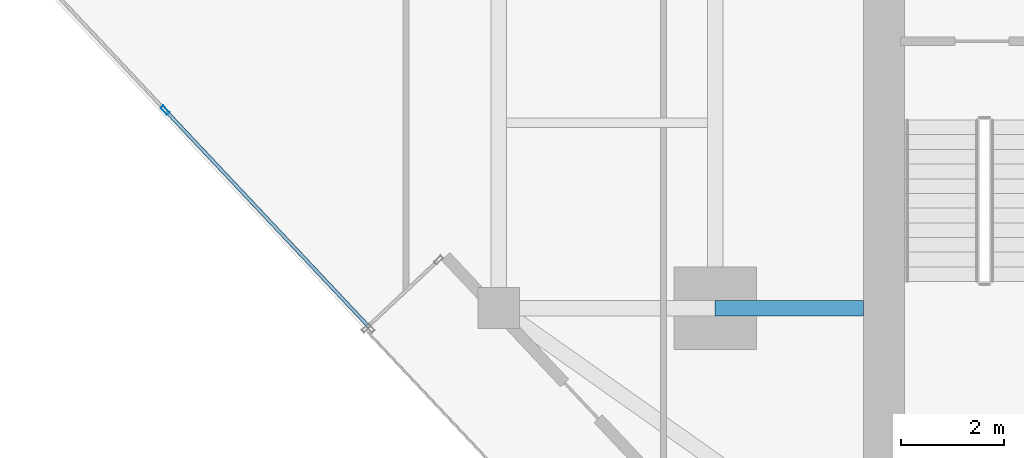
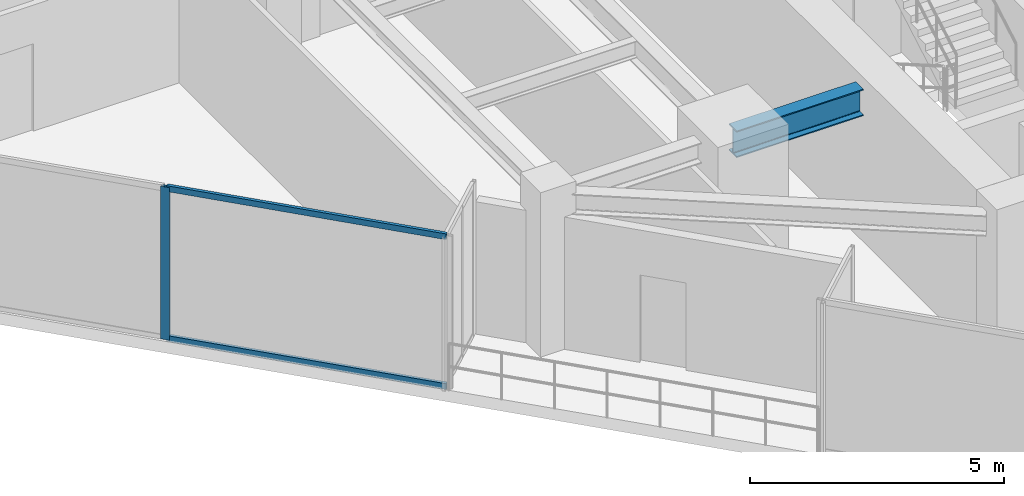
# One storey, part 4 of 25: 3 members, 1 beam, 1 element without a shape of its own.
"""IFC4 building model written with IfcOpenShell, lengths in metres."""

from ifc_helpers import new_model, si_unit, direction, frame, origin, origin_2d, place, context, subcontext, project, spatial, hollow_rectangle, i_section, extrude, source, transform, mapped, material, material_profile, profile_set, type_object, type_shapes, element, aggregate, save


model = new_model("IFC4")

# Units and contexts
model_context = context("Model", 3, precision=1e-05, world=origin(), true_north=direction((0.0, 1.0)))
body_context = subcontext(model_context, "Body", "Model", "MODEL_VIEW")
ifc_project = project(units=[si_unit("LENGTHUNIT", "METRE"), si_unit("AREAUNIT", "SQUARE_METRE"), si_unit("VOLUMEUNIT", "CUBIC_METRE"), si_unit("PLANEANGLEUNIT", "RADIAN"), si_unit("MASSUNIT", "GRAM", prefix="KILO")], contexts=[model_context])

# Site, building, storey
site_placement = place(None, origin())
site = spatial("IfcSite", under=ifc_project, at=site_placement, CompositionType="ELEMENT")
building_placement = place(site_placement, origin())
building = spatial("IfcBuilding", under=site, at=building_placement, Name="Krantzveldt Concourse Tower", CompositionType="ELEMENT")
storey_placement = place(building_placement, frame((0.0, 0.0, 238.89990234375)))
storey = spatial("IfcBuildingStorey", under=building, at=storey_placement, Name="L58", CompositionType="ELEMENT", Elevation=238.89990234375)

# Beam
ifc_material_1 = material(Name="Steel S355JR", Category="steel")
ifc_material_profile_1 = material_profile(ifc_material_1, i_section(OverallWidth=0.300048828125, OverallDepth=0.639892578125, WebThickness=0.013427734375, FlangeThickness=0.02587890625, FilletRadius=0.027099609375, at=origin_2d()), Name="Steel S355JR", Category="steel")
ifc_profile_set_1 = profile_set([ifc_material_profile_1], Name="Steel S355JR - HEA 650")
beam_type = type_object("IfcBeamType", Name="BM-B-HEA650", PredefinedType="BEAM", material=ifc_profile_set_1)
shared_shape_1 = source(origin(), body_context, "Body", "SweptSolid", [
    extrude(i_section(OverallWidth=0.300048828125, OverallDepth=0.639892578125, WebThickness=0.013427734375, FlangeThickness=0.02587890625, FilletRadius=0.027099609375, at=origin_2d()), origin(), (0.0, 0.0, 1.0), 2.880126953125),
])
type_shapes(beam_type, [shared_shape_1])
beam_placement = place(storey_placement, frame((25.199951171875, 15.89990234375, 3.35009765625), z_axis=(1.0, 0.0, 0.0), x_axis=(0.0, 1.0, 0.0)))
element("IfcBeam", 1, at=beam_placement, inside=storey, type_object=beam_type, Name="L58 Tower Girder BG-CW1", PredefinedType="BEAM", context=body_context, shape_type="MappedRepresentation", body=[
    mapped(shared_shape_1, transform((0.0, 0.0, 0.0), x_axis=(1.0, 0.0, 0.0), y_axis=(0.0, 1.0, 0.0), z_axis=(0.0, 0.0, 1.0), scale=1.0)),
])

# Curtain wall, members
ifc_material_2 = material(Name="Anodised aluminium 6063-T6", Category="aluminium")
curtain_wall_type = type_object("IfcCurtainWallType", Name="CW3", PredefinedType="USERDEFINED", material=ifc_material_2)
curtain_wall_placement = place(storey_placement, origin())
curtain_wall = element("IfcCurtainWall", 2, at=curtain_wall_placement, inside=storey, type_object=curtain_wall_type, Name="CW-L58-F04", ObjectType="UNITISED CURTAIN WALL", PredefinedType="USERDEFINED")
ifc_material_profile_2 = material_profile(ifc_material_2, hollow_rectangle(XDim=0.070068359375, YDim=0.179931640625, WallThickness=0.0048828125, at=origin_2d()), Name="Anodised aluminium 6063-T6", Category="aluminium")
ifc_profile_set_2 = profile_set([ifc_material_profile_2], Name="Anodised aluminium 6063-T6 - ALU-MULL 180x70x5")
member_type_1 = type_object("IfcMemberType", Name="CW-MUL-180", PredefinedType="MULLION", material=ifc_profile_set_2)
shared_shape_2 = source(origin(), body_context, "Body", "SweptSolid", [
    extrude(hollow_rectangle(XDim=0.070068359375, YDim=0.179931640625, WallThickness=0.0048828125, at=origin_2d()), origin(), (0.0, 0.0, 1.0), 3.670166015625),
])
type_shapes(member_type_1, [shared_shape_2])
member_1_placement = place(storey_placement, frame((14.52197265625, 19.744140625, 0.0), z_axis=(0.0, 0.0, 1.0), x_axis=(0.728370998021, 0.685182960414, 0.0)))
member_1 = element("IfcMember", 3, at=member_1_placement, type_object=member_type_1, Name="CW-Z34 mullion 2", PredefinedType="MULLION", context=body_context, shape_type="MappedRepresentation", body=[
    mapped(shared_shape_2, transform((0.0, 0.0, 0.0), x_axis=(1.0, 0.0, 0.0), y_axis=(0.0, 1.0, 0.0), z_axis=(0.0, 0.0, 1.0), scale=1.0)),
])
ifc_material_profile_3 = material_profile(ifc_material_2, hollow_rectangle(XDim=0.070068359375, YDim=0.139892578125, WallThickness=0.0048828125, at=origin_2d()), Name="Anodised aluminium 6063-T6", Category="aluminium")
ifc_profile_set_3 = profile_set([ifc_material_profile_3], Name="Anodised aluminium 6063-T6 - ALU-TRAN 140x70x5")
member_type_2 = type_object("IfcMemberType", Name="CW-TRN-150", PredefinedType="USERDEFINED", material=ifc_profile_set_3)
shared_shape_3 = source(origin(), body_context, "Body", "SweptSolid", [
    extrude(hollow_rectangle(XDim=0.070068359375, YDim=0.139892578125, WallThickness=0.0048828125, at=origin_2d()), origin(), (0.0, 0.0, 1.0), 5.744873046875),
])
type_shapes(member_type_2, [shared_shape_3])
member_2_placement = place(storey_placement, frame((14.5458984375, 19.71875, 0.03515625), z_axis=(0.685167163665, -0.728385857795, 0.0), x_axis=(0.728385857795, 0.685167163665, 0.0)))
member_2 = element("IfcMember", 4, at=member_2_placement, type_object=member_type_2, Name="CW-Z34 transom 2.1", ObjectType="TRANSOM", PredefinedType="USERDEFINED", context=body_context, shape_type="MappedRepresentation", body=[
    mapped(shared_shape_3, transform((0.0, 0.0, 0.0), x_axis=(1.0, 0.0, 0.0), y_axis=(0.0, 1.0, 0.0), z_axis=(0.0, 0.0, 1.0), scale=1.0)),
])
member_3_placement = place(storey_placement, frame((14.5458984375, 19.71875, 3.635009765625), z_axis=(0.685167163665, -0.728385857795, 0.0), x_axis=(0.728385857795, 0.685167163665, 0.0)))
member_3 = element("IfcMember", 5, at=member_3_placement, type_object=member_type_2, Name="CW-Z34 transom 2.2", ObjectType="TRANSOM", PredefinedType="USERDEFINED", context=body_context, shape_type="MappedRepresentation", body=[
    mapped(shared_shape_3, transform((0.0, 0.0, 0.0), x_axis=(1.0, 0.0, 0.0), y_axis=(0.0, 1.0, 0.0), z_axis=(0.0, 0.0, 1.0), scale=1.0)),
])
aggregate(curtain_wall, [member_1, member_2, member_3])

save(model, "model.ifc")
